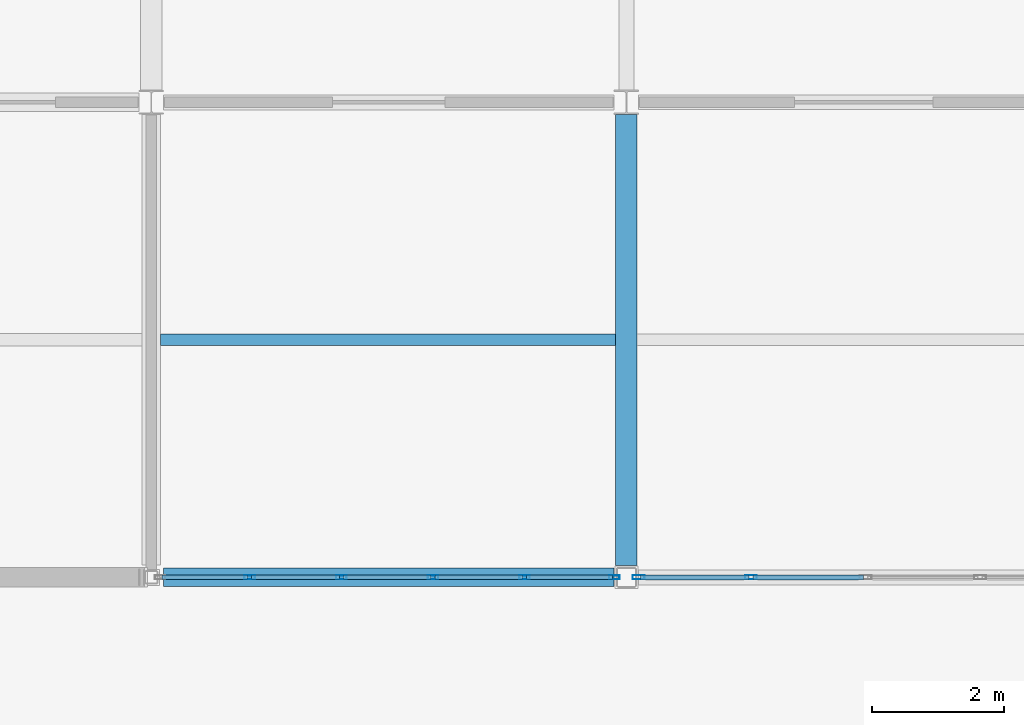
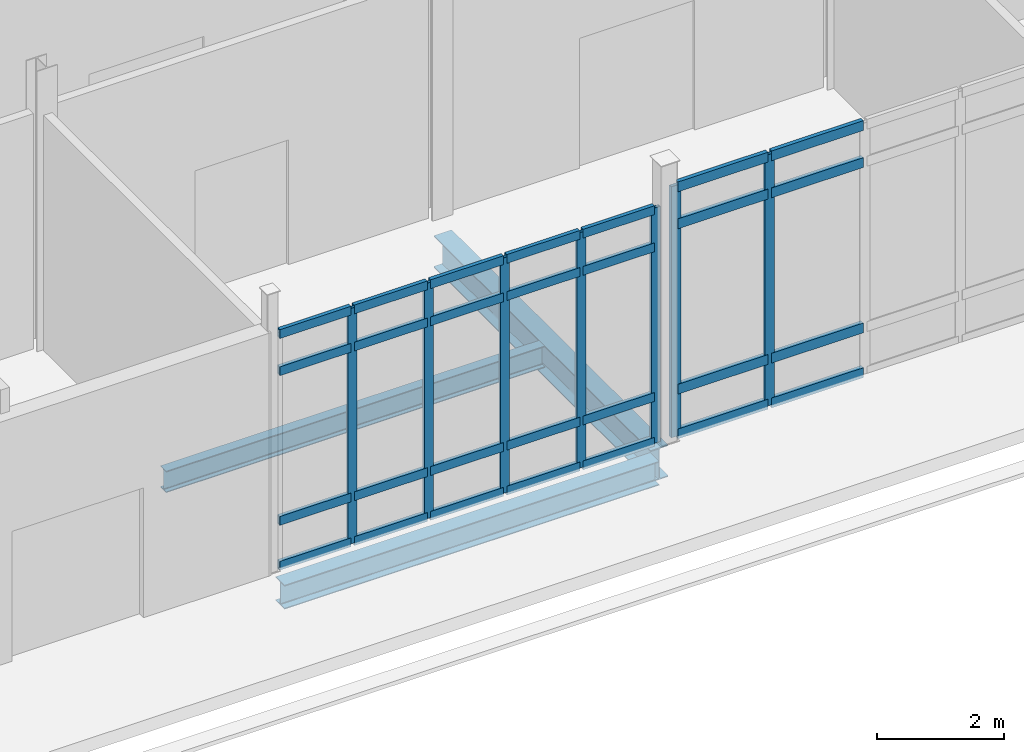
# One storey, part 117 of 229: 35 members, 3 beams, 2 elements without a shape of their own.
"""IFC4 building model written with IfcOpenShell, lengths in metres."""

from ifc_helpers import new_model, si_unit, direction, frame, origin, origin_2d, place, context, subcontext, project, spatial, hollow_rectangle, i_section, extrude, material, layer, layer_set, material_profile, profile_set, type_object, element, aggregate, save


model = new_model("IFC4")

# Units and contexts
model_context = context("Model", 3, precision=1e-05, world=origin(), true_north=direction((0.0, 1.0)))
body_context = subcontext(model_context, "Body", "Model", "MODEL_VIEW")
ifc_project = project(units=[si_unit("LENGTHUNIT", "METRE"), si_unit("AREAUNIT", "SQUARE_METRE"), si_unit("VOLUMEUNIT", "CUBIC_METRE"), si_unit("PLANEANGLEUNIT", "RADIAN"), si_unit("MASSUNIT", "GRAM", prefix="KILO")], contexts=[model_context])

# Site, building, storey
site_placement = place(None, origin())
site = spatial("IfcSite", under=ifc_project, at=site_placement, CompositionType="ELEMENT")
building_placement = place(site_placement, origin())
building = spatial("IfcBuilding", under=site, at=building_placement, Name="Calvrana Isthmian Art Gallery", CompositionType="ELEMENT")
storey_placement = place(building_placement, origin())
storey = spatial("IfcBuildingStorey", under=building, at=storey_placement, Name="L00", CompositionType="ELEMENT", Elevation=0.0)

# Beams
ifc_material_1 = material(Name="Steel ASTM A992 Gr 50", Category="steel")
ifc_material_profile_1 = material_profile(ifc_material_1, i_section(OverallWidth=0.279052734375, OverallDepth=0.4619140625, WebThickness=0.0107421875, FlangeThickness=0.017333984375, FilletRadius=0.02001953125, at=origin_2d()), Name="W18X76")
ifc_profile_set_1 = profile_set([ifc_material_profile_1], Name="Steel ASTM A992 Gr 50")
beam_type_1 = type_object("IfcBeamType", Name="BM-G-W18X76", PredefinedType="BEAM", material=ifc_profile_set_1)
beam_1_placement = place(storey_placement, frame((141.78662109375, 0.0, -0.51611328125), z_axis=(1.0, 0.0, 0.0), x_axis=(0.0, 1.0, 0.0)))
element("IfcBeam", 1, at=beam_1_placement, inside=storey, type_object=beam_type_1, Name="Girder X L00 19-20/A", PredefinedType="BEAM", context=body_context, shape_type="SweptSolid", body=[
    extrude(i_section(OverallWidth=0.279052734375, OverallDepth=0.4619140625, WebThickness=0.0107421875, FlangeThickness=0.017333984375, FilletRadius=0.02001953125, at=origin_2d()), origin(), (0.0, 0.0, 1.0), 6.827880859375),
])
ifc_material_profile_2 = material_profile(ifc_material_1, i_section(OverallWidth=0.324951171875, OverallDepth=0.612060546875, WebThickness=0.0126953125, FlangeThickness=0.01904296875, FilletRadius=0.02197265625, at=origin_2d()), Name="W24X104")
ifc_profile_set_2 = profile_set([ifc_material_profile_2], Name="Steel ASTM A992 Gr 50")
beam_type_2 = type_object("IfcBeamType", Name="BM-G-W24X104", PredefinedType="BEAM", material=ifc_profile_set_2)
beam_2_placement = place(storey_placement, frame((148.800048828125, 0.181396484375, -0.591064453125), z_axis=(0.0, 1.0, 0.0), x_axis=(-1.0, 0.0, 0.0)))
element("IfcBeam", 2, at=beam_2_placement, inside=storey, type_object=beam_type_2, Name="Girder Y L00 20/A-B", PredefinedType="BEAM", context=body_context, shape_type="SweptSolid", body=[
    extrude(i_section(OverallWidth=0.324951171875, OverallDepth=0.612060546875, WebThickness=0.0126953125, FlangeThickness=0.01904296875, FilletRadius=0.02197265625, at=origin_2d()), origin(), (0.0, 0.0, 1.0), 6.834716796875),
])
ifc_material_profile_3 = material_profile(ifc_material_1, i_section(OverallWidth=0.179931640625, OverallDepth=0.4140625, WebThickness=0.009765625, FlangeThickness=0.01611328125, FilletRadius=0.01806640625, at=origin_2d()), Name="W16X50")
ifc_profile_set_3 = profile_set([ifc_material_profile_3], Name="Steel ASTM A992 Gr 50")
beam_type_3 = type_object("IfcBeamType", Name="BM-J-W16X50", PredefinedType="JOIST", material=ifc_profile_set_3)
beam_3_placement = place(storey_placement, frame((141.739501953125, 3.60009765625, -0.491943359375), z_axis=(1.0, 0.0, 0.0), x_axis=(0.0, 1.0, 0.0)))
element("IfcBeam", 3, at=beam_3_placement, inside=storey, type_object=beam_type_3, Name="Composite joist L00 bay 18-00", PredefinedType="JOIST", context=body_context, shape_type="SweptSolid", body=[
    extrude(i_section(OverallWidth=0.179931640625, OverallDepth=0.4140625, WebThickness=0.009765625, FlangeThickness=0.01611328125, FilletRadius=0.01806640625, at=origin_2d()), origin(), (0.0, 0.0, 1.0), 6.89794921875),
])

# Curtain wall, members
ifc_material_2 = material(Name="Anodized bronze aluminium 6063-T6", Category="aluminium")
ifc_layer_1 = layer(ifc_material_2, 0.179931640625, Name="Anodized bronze aluminium 6063-T6")
ifc_layer_set_1 = layer_set([ifc_layer_1], Name="Anodized bronze aluminium 6063-T6")
curtain_wall_type_1 = type_object("IfcCurtainWallType", Name="CW-UNIT-069X45", PredefinedType="USERDEFINED", material=ifc_layer_set_1)
curtain_wall_1_placement = place(storey_placement, origin())
curtain_wall_1 = element("IfcCurtainWall", 4, at=curtain_wall_1_placement, inside=storey, type_object=curtain_wall_type_1, Name="Curtain wall CW-013", ObjectType="UNITISED CURTAIN WALL", PredefinedType="USERDEFINED")
ifc_material_profile_4 = material_profile(ifc_material_2, hollow_rectangle(XDim=0.06005859375, YDim=0.159912109375, WallThickness=0.00390625, at=origin_2d()), Name="CWM60X160")
ifc_profile_set_4 = profile_set([ifc_material_profile_4], Name="Anodized bronze aluminium 6063-T6")
member_type_1 = type_object("IfcMemberType", Name="CWM-CWM60X160", PredefinedType="MULLION", material=ifc_profile_set_4)
member_1_placement = place(storey_placement, frame((148.61767578125, 0.0, 0.0), z_axis=(0.0, 0.0, 1.0), x_axis=(0.0, -1.0, 0.0)))
member_1 = element("IfcMember", 5, at=member_1_placement, type_object=member_type_1, Name="CW-013 mullion 1", PredefinedType="MULLION", context=body_context, shape_type="SweptSolid", body=[
    extrude(hollow_rectangle(XDim=0.06005859375, YDim=0.159912109375, WallThickness=0.00390625, at=origin_2d()), origin(), (0.0, 0.0, 1.0), 4.532958984375),
])
member_2_placement = place(storey_placement, frame((147.25830078125, 0.0, 0.0), z_axis=(0.0, 0.0, 1.0), x_axis=(0.0, -1.0, 0.0)))
member_2 = element("IfcMember", 6, at=member_2_placement, type_object=member_type_1, Name="CW-013 mullion 2", PredefinedType="MULLION", context=body_context, shape_type="SweptSolid", body=[
    extrude(hollow_rectangle(XDim=0.06005859375, YDim=0.159912109375, WallThickness=0.00390625, at=origin_2d()), origin(), (0.0, 0.0, 1.0), 4.532958984375),
])
member_3_placement = place(storey_placement, frame((145.869140625, 0.0, 0.0), z_axis=(0.0, 0.0, 1.0), x_axis=(0.0, -1.0, 0.0)))
member_3 = element("IfcMember", 7, at=member_3_placement, type_object=member_type_1, Name="CW-013 mullion 3", PredefinedType="MULLION", context=body_context, shape_type="SweptSolid", body=[
    extrude(hollow_rectangle(XDim=0.06005859375, YDim=0.159912109375, WallThickness=0.00390625, at=origin_2d()), origin(), (0.0, 0.0, 1.0), 4.532958984375),
])
member_4_placement = place(storey_placement, frame((144.47998046875, 0.0, 0.0), z_axis=(0.0, 0.0, 1.0), x_axis=(0.0, -1.0, 0.0)))
member_4 = element("IfcMember", 8, at=member_4_placement, type_object=member_type_1, Name="CW-013 mullion 4", PredefinedType="MULLION", context=body_context, shape_type="SweptSolid", body=[
    extrude(hollow_rectangle(XDim=0.06005859375, YDim=0.159912109375, WallThickness=0.00390625, at=origin_2d()), origin(), (0.0, 0.0, 1.0), 4.532958984375),
])
member_5_placement = place(storey_placement, frame((143.0908203125, 0.0, 0.0), z_axis=(0.0, 0.0, 1.0), x_axis=(0.0, -1.0, 0.0)))
member_5 = element("IfcMember", 9, at=member_5_placement, type_object=member_type_1, Name="CW-013 mullion 5", PredefinedType="MULLION", context=body_context, shape_type="SweptSolid", body=[
    extrude(hollow_rectangle(XDim=0.06005859375, YDim=0.159912109375, WallThickness=0.00390625, at=origin_2d()), origin(), (0.0, 0.0, 1.0), 4.532958984375),
])

ifc_layer_2 = layer(ifc_material_2, 0.179931640625, Name="Anodized bronze aluminium 6063-T6")
ifc_layer_set_2 = layer_set([ifc_layer_2], Name="Anodized bronze aluminium 6063-T6")
curtain_wall_type_2 = type_object("IfcCurtainWallType", Name="CW-STICK-069X48", PredefinedType="NOTDEFINED", material=ifc_layer_set_2)
curtain_wall_2_placement = place(storey_placement, origin())
curtain_wall_2 = element("IfcCurtainWall", 10, at=curtain_wall_2_placement, inside=storey, type_object=curtain_wall_type_2, Name="Curtain wall CW-014", PredefinedType="NOTDEFINED")
ifc_material_profile_5 = material_profile(ifc_material_2, hollow_rectangle(XDim=0.06494140625, YDim=0.179931640625, WallThickness=0.00439453125, at=origin_2d()), Name="CWM65X180")
ifc_profile_set_5 = profile_set([ifc_material_profile_5], Name="Anodized bronze aluminium 6063-T6")
member_type_2 = type_object("IfcMemberType", Name="CWM-CWM65X180", PredefinedType="MULLION", material=ifc_profile_set_5)
member_6_placement = place(storey_placement, frame((150.68896484375, 0.0, 0.0), z_axis=(0.0, 0.0, 1.0), x_axis=(0.0, -1.0, 0.0)))
member_6 = element("IfcMember", 11, at=member_6_placement, type_object=member_type_2, Name="CW-014 mullion 4", PredefinedType="MULLION", context=body_context, shape_type="SweptSolid", body=[
    extrude(hollow_rectangle(XDim=0.06494140625, YDim=0.179931640625, WallThickness=0.00439453125, at=origin_2d()), origin(), (0.0, 0.0, 1.0), 4.835205078125),
])
member_7_placement = place(storey_placement, frame((148.98486328125, 0.0, 0.0), z_axis=(0.0, 0.0, 1.0), x_axis=(0.0, -1.0, 0.0)))
member_7 = element("IfcMember", 12, at=member_7_placement, type_object=member_type_2, Name="CW-014 mullion 5", PredefinedType="MULLION", context=body_context, shape_type="SweptSolid", body=[
    extrude(hollow_rectangle(XDim=0.06494140625, YDim=0.179931640625, WallThickness=0.00439453125, at=origin_2d()), origin(), (0.0, 0.0, 1.0), 4.835205078125),
])

# Member
ifc_material_profile_6 = material_profile(ifc_material_2, hollow_rectangle(XDim=0.070068359375, YDim=0.169921875, WallThickness=0.00439453125, at=origin_2d()), Name="CWT70X170")
ifc_profile_set_6 = profile_set([ifc_material_profile_6], Name="Anodized bronze aluminium 6063-T6")
member_type_3 = type_object("IfcMemberType", Name="CWT-CWT70X170", PredefinedType="USERDEFINED", material=ifc_profile_set_6)
member_8_placement = place(storey_placement, frame((148.587646484375, 0.0, 0.034912109375), z_axis=(-1.0, 0.0, 0.0), x_axis=(0.0, -1.0, 0.0)))
member_8 = element("IfcMember", 13, at=member_8_placement, type_object=member_type_3, Name="CW-013 transom 1.1", ObjectType="TRANSOM", PredefinedType="USERDEFINED", context=body_context, shape_type="SweptSolid", body=[
    extrude(hollow_rectangle(XDim=0.070068359375, YDim=0.169921875, WallThickness=0.00439453125, at=origin_2d()), origin(), (0.0, 0.0, 1.0), 1.29931640625),
])

member_9_placement = place(storey_placement, frame((148.587646484375, 0.0, 0.89990234375), z_axis=(-1.0, 0.0, 0.0), x_axis=(0.0, -1.0, 0.0)))
member_9 = element("IfcMember", 14, at=member_9_placement, type_object=member_type_3, Name="CW-013 transom 1.2", ObjectType="TRANSOM", PredefinedType="USERDEFINED", context=body_context, shape_type="SweptSolid", body=[
    extrude(hollow_rectangle(XDim=0.070068359375, YDim=0.169921875, WallThickness=0.00439453125, at=origin_2d()), origin(), (0.0, 0.0, 1.0), 1.29931640625),
])

member_10_placement = place(storey_placement, frame((148.587646484375, 0.0, 3.782958984375), z_axis=(-1.0, 0.0, 0.0), x_axis=(0.0, -1.0, 0.0)))
member_10 = element("IfcMember", 15, at=member_10_placement, type_object=member_type_3, Name="CW-013 transom 1.3", ObjectType="TRANSOM", PredefinedType="USERDEFINED", context=body_context, shape_type="SweptSolid", body=[
    extrude(hollow_rectangle(XDim=0.070068359375, YDim=0.169921875, WallThickness=0.00439453125, at=origin_2d()), origin(), (0.0, 0.0, 1.0), 1.29931640625),
])

member_11_placement = place(storey_placement, frame((148.587646484375, 0.0, 4.498046875), z_axis=(-1.0, 0.0, 0.0), x_axis=(0.0, -1.0, 0.0)))
member_11 = element("IfcMember", 16, at=member_11_placement, type_object=member_type_3, Name="CW-013 transom 1.4", ObjectType="TRANSOM", PredefinedType="USERDEFINED", context=body_context, shape_type="SweptSolid", body=[
    extrude(hollow_rectangle(XDim=0.070068359375, YDim=0.169921875, WallThickness=0.00439453125, at=origin_2d()), origin(), (0.0, 0.0, 1.0), 1.29931640625),
])

member_12_placement = place(storey_placement, frame((147.228515625, 0.0, 0.034912109375), z_axis=(-1.0, 0.0, 0.0), x_axis=(0.0, -1.0, 0.0)))
member_12 = element("IfcMember", 17, at=member_12_placement, type_object=member_type_3, Name="CW-013 transom 2.1", ObjectType="TRANSOM", PredefinedType="USERDEFINED", context=body_context, shape_type="SweptSolid", body=[
    extrude(hollow_rectangle(XDim=0.070068359375, YDim=0.169921875, WallThickness=0.00439453125, at=origin_2d()), origin(), (0.0, 0.0, 1.0), 1.329345703125),
])

member_13_placement = place(storey_placement, frame((147.228515625, 0.0, 0.89990234375), z_axis=(-1.0, 0.0, 0.0), x_axis=(0.0, -1.0, 0.0)))
member_13 = element("IfcMember", 18, at=member_13_placement, type_object=member_type_3, Name="CW-013 transom 2.2", ObjectType="TRANSOM", PredefinedType="USERDEFINED", context=body_context, shape_type="SweptSolid", body=[
    extrude(hollow_rectangle(XDim=0.070068359375, YDim=0.169921875, WallThickness=0.00439453125, at=origin_2d()), origin(), (0.0, 0.0, 1.0), 1.329345703125),
])

member_14_placement = place(storey_placement, frame((147.228515625, 0.0, 3.782958984375), z_axis=(-1.0, 0.0, 0.0), x_axis=(0.0, -1.0, 0.0)))
member_14 = element("IfcMember", 19, at=member_14_placement, type_object=member_type_3, Name="CW-013 transom 2.3", ObjectType="TRANSOM", PredefinedType="USERDEFINED", context=body_context, shape_type="SweptSolid", body=[
    extrude(hollow_rectangle(XDim=0.070068359375, YDim=0.169921875, WallThickness=0.00439453125, at=origin_2d()), origin(), (0.0, 0.0, 1.0), 1.329345703125),
])

member_15_placement = place(storey_placement, frame((147.228515625, 0.0, 4.498046875), z_axis=(-1.0, 0.0, 0.0), x_axis=(0.0, -1.0, 0.0)))
member_15 = element("IfcMember", 20, at=member_15_placement, type_object=member_type_3, Name="CW-013 transom 2.4", ObjectType="TRANSOM", PredefinedType="USERDEFINED", context=body_context, shape_type="SweptSolid", body=[
    extrude(hollow_rectangle(XDim=0.070068359375, YDim=0.169921875, WallThickness=0.00439453125, at=origin_2d()), origin(), (0.0, 0.0, 1.0), 1.329345703125),
])

member_16_placement = place(storey_placement, frame((145.839111328125, 0.0, 0.034912109375), z_axis=(-1.0, 0.0, 0.0), x_axis=(0.0, -1.0, 0.0)))
member_16 = element("IfcMember", 21, at=member_16_placement, type_object=member_type_3, Name="CW-013 transom 3.1", ObjectType="TRANSOM", PredefinedType="USERDEFINED", context=body_context, shape_type="SweptSolid", body=[
    extrude(hollow_rectangle(XDim=0.070068359375, YDim=0.169921875, WallThickness=0.00439453125, at=origin_2d()), origin(), (0.0, 0.0, 1.0), 1.3291015625),
])

member_17_placement = place(storey_placement, frame((145.839111328125, 0.0, 0.89990234375), z_axis=(-1.0, 0.0, 0.0), x_axis=(0.0, -1.0, 0.0)))
member_17 = element("IfcMember", 22, at=member_17_placement, type_object=member_type_3, Name="CW-013 transom 3.2", ObjectType="TRANSOM", PredefinedType="USERDEFINED", context=body_context, shape_type="SweptSolid", body=[
    extrude(hollow_rectangle(XDim=0.070068359375, YDim=0.169921875, WallThickness=0.00439453125, at=origin_2d()), origin(), (0.0, 0.0, 1.0), 1.3291015625),
])

member_18_placement = place(storey_placement, frame((145.839111328125, 0.0, 3.782958984375), z_axis=(-1.0, 0.0, 0.0), x_axis=(0.0, -1.0, 0.0)))
member_18 = element("IfcMember", 23, at=member_18_placement, type_object=member_type_3, Name="CW-013 transom 3.3", ObjectType="TRANSOM", PredefinedType="USERDEFINED", context=body_context, shape_type="SweptSolid", body=[
    extrude(hollow_rectangle(XDim=0.070068359375, YDim=0.169921875, WallThickness=0.00439453125, at=origin_2d()), origin(), (0.0, 0.0, 1.0), 1.3291015625),
])

member_19_placement = place(storey_placement, frame((145.839111328125, 0.0, 4.498046875), z_axis=(-1.0, 0.0, 0.0), x_axis=(0.0, -1.0, 0.0)))
member_19 = element("IfcMember", 24, at=member_19_placement, type_object=member_type_3, Name="CW-013 transom 3.4", ObjectType="TRANSOM", PredefinedType="USERDEFINED", context=body_context, shape_type="SweptSolid", body=[
    extrude(hollow_rectangle(XDim=0.070068359375, YDim=0.169921875, WallThickness=0.00439453125, at=origin_2d()), origin(), (0.0, 0.0, 1.0), 1.3291015625),
])

member_20_placement = place(storey_placement, frame((144.449951171875, 0.0, 0.034912109375), z_axis=(-1.0, 0.0, 0.0), x_axis=(0.0, -1.0, 0.0)))
member_20 = element("IfcMember", 25, at=member_20_placement, type_object=member_type_3, Name="CW-013 transom 4.1", ObjectType="TRANSOM", PredefinedType="USERDEFINED", context=body_context, shape_type="SweptSolid", body=[
    extrude(hollow_rectangle(XDim=0.070068359375, YDim=0.169921875, WallThickness=0.00439453125, at=origin_2d()), origin(), (0.0, 0.0, 1.0), 1.3291015625),
])

member_21_placement = place(storey_placement, frame((144.449951171875, 0.0, 0.89990234375), z_axis=(-1.0, 0.0, 0.0), x_axis=(0.0, -1.0, 0.0)))
member_21 = element("IfcMember", 26, at=member_21_placement, type_object=member_type_3, Name="CW-013 transom 4.2", ObjectType="TRANSOM", PredefinedType="USERDEFINED", context=body_context, shape_type="SweptSolid", body=[
    extrude(hollow_rectangle(XDim=0.070068359375, YDim=0.169921875, WallThickness=0.00439453125, at=origin_2d()), origin(), (0.0, 0.0, 1.0), 1.3291015625),
])

member_22_placement = place(storey_placement, frame((144.449951171875, 0.0, 3.782958984375), z_axis=(-1.0, 0.0, 0.0), x_axis=(0.0, -1.0, 0.0)))
member_22 = element("IfcMember", 27, at=member_22_placement, type_object=member_type_3, Name="CW-013 transom 4.3", ObjectType="TRANSOM", PredefinedType="USERDEFINED", context=body_context, shape_type="SweptSolid", body=[
    extrude(hollow_rectangle(XDim=0.070068359375, YDim=0.169921875, WallThickness=0.00439453125, at=origin_2d()), origin(), (0.0, 0.0, 1.0), 1.3291015625),
])

member_23_placement = place(storey_placement, frame((144.449951171875, 0.0, 4.498046875), z_axis=(-1.0, 0.0, 0.0), x_axis=(0.0, -1.0, 0.0)))
member_23 = element("IfcMember", 28, at=member_23_placement, type_object=member_type_3, Name="CW-013 transom 4.4", ObjectType="TRANSOM", PredefinedType="USERDEFINED", context=body_context, shape_type="SweptSolid", body=[
    extrude(hollow_rectangle(XDim=0.070068359375, YDim=0.169921875, WallThickness=0.00439453125, at=origin_2d()), origin(), (0.0, 0.0, 1.0), 1.3291015625),
])

member_24_placement = place(storey_placement, frame((143.060791015625, 0.0, 0.034912109375), z_axis=(-1.0, 0.0, 0.0), x_axis=(0.0, -1.0, 0.0)))
member_24 = element("IfcMember", 29, at=member_24_placement, type_object=member_type_3, Name="CW-013 transom 5.1", ObjectType="TRANSOM", PredefinedType="USERDEFINED", context=body_context, shape_type="SweptSolid", body=[
    extrude(hollow_rectangle(XDim=0.070068359375, YDim=0.169921875, WallThickness=0.00439453125, at=origin_2d()), origin(), (0.0, 0.0, 1.0), 1.299072265625),
])

member_25_placement = place(storey_placement, frame((143.060791015625, 0.0, 0.89990234375), z_axis=(-1.0, 0.0, 0.0), x_axis=(0.0, -1.0, 0.0)))
member_25 = element("IfcMember", 30, at=member_25_placement, type_object=member_type_3, Name="CW-013 transom 5.2", ObjectType="TRANSOM", PredefinedType="USERDEFINED", context=body_context, shape_type="SweptSolid", body=[
    extrude(hollow_rectangle(XDim=0.070068359375, YDim=0.169921875, WallThickness=0.00439453125, at=origin_2d()), origin(), (0.0, 0.0, 1.0), 1.299072265625),
])

member_26_placement = place(storey_placement, frame((143.060791015625, 0.0, 3.782958984375), z_axis=(-1.0, 0.0, 0.0), x_axis=(0.0, -1.0, 0.0)))
member_26 = element("IfcMember", 31, at=member_26_placement, type_object=member_type_3, Name="CW-013 transom 5.3", ObjectType="TRANSOM", PredefinedType="USERDEFINED", context=body_context, shape_type="SweptSolid", body=[
    extrude(hollow_rectangle(XDim=0.070068359375, YDim=0.169921875, WallThickness=0.00439453125, at=origin_2d()), origin(), (0.0, 0.0, 1.0), 1.299072265625),
])

member_27_placement = place(storey_placement, frame((143.060791015625, 0.0, 4.498046875), z_axis=(-1.0, 0.0, 0.0), x_axis=(0.0, -1.0, 0.0)))
member_27 = element("IfcMember", 32, at=member_27_placement, type_object=member_type_3, Name="CW-013 transom 5.4", ObjectType="TRANSOM", PredefinedType="USERDEFINED", context=body_context, shape_type="SweptSolid", body=[
    extrude(hollow_rectangle(XDim=0.070068359375, YDim=0.169921875, WallThickness=0.00439453125, at=origin_2d()), origin(), (0.0, 0.0, 1.0), 1.299072265625),
])

aggregate(curtain_wall_1, [member_1, member_2, member_3, member_4, member_5, member_8, member_9, member_10, member_11, member_12, member_13, member_14, member_15, member_16, member_17, member_18, member_19, member_20, member_21, member_22, member_23, member_24, member_25, member_26, member_27])

ifc_material_profile_7 = material_profile(ifc_material_2, hollow_rectangle(XDim=0.074951171875, YDim=0.18994140625, WallThickness=0.00439453125, at=origin_2d()), Name="CWT75X190")
ifc_profile_set_7 = profile_set([ifc_material_profile_7], Name="Anodized bronze aluminium 6063-T6")
member_type_4 = type_object("IfcMemberType", Name="CWT-CWT75X190", PredefinedType="USERDEFINED", material=ifc_profile_set_7)
member_28_placement = place(storey_placement, frame((152.392822265625, 0.0, 0.03759765625), z_axis=(-1.0, 0.0, 0.0), x_axis=(0.0, -1.0, 0.0)))
member_28 = element("IfcMember", 33, at=member_28_placement, type_object=member_type_4, Name="CW-014 transom 3.1", ObjectType="TRANSOM", PredefinedType="USERDEFINED", context=body_context, shape_type="SweptSolid", body=[
    extrude(hollow_rectangle(XDim=0.074951171875, YDim=0.18994140625, WallThickness=0.00439453125, at=origin_2d()), origin(), (0.0, 0.0, 1.0), 1.67138671875),
])

member_29_placement = place(storey_placement, frame((152.392822265625, 0.0, 0.89990234375), z_axis=(-1.0, 0.0, 0.0), x_axis=(0.0, -1.0, 0.0)))
member_29 = element("IfcMember", 34, at=member_29_placement, type_object=member_type_4, Name="CW-014 transom 3.2", ObjectType="TRANSOM", PredefinedType="USERDEFINED", context=body_context, shape_type="SweptSolid", body=[
    extrude(hollow_rectangle(XDim=0.074951171875, YDim=0.18994140625, WallThickness=0.00439453125, at=origin_2d()), origin(), (0.0, 0.0, 1.0), 1.67138671875),
])

member_30_placement = place(storey_placement, frame((152.392822265625, 0.0, 4.085205078125), z_axis=(-1.0, 0.0, 0.0), x_axis=(0.0, -1.0, 0.0)))
member_30 = element("IfcMember", 35, at=member_30_placement, type_object=member_type_4, Name="CW-014 transom 3.3", ObjectType="TRANSOM", PredefinedType="USERDEFINED", context=body_context, shape_type="SweptSolid", body=[
    extrude(hollow_rectangle(XDim=0.074951171875, YDim=0.18994140625, WallThickness=0.00439453125, at=origin_2d()), origin(), (0.0, 0.0, 1.0), 1.67138671875),
])

member_31_placement = place(storey_placement, frame((152.392822265625, 0.0, 4.797607421875), z_axis=(-1.0, 0.0, 0.0), x_axis=(0.0, -1.0, 0.0)))
member_31 = element("IfcMember", 36, at=member_31_placement, type_object=member_type_4, Name="CW-014 transom 3.4", ObjectType="TRANSOM", PredefinedType="USERDEFINED", context=body_context, shape_type="SweptSolid", body=[
    extrude(hollow_rectangle(XDim=0.074951171875, YDim=0.18994140625, WallThickness=0.00439453125, at=origin_2d()), origin(), (0.0, 0.0, 1.0), 1.67138671875),
])

member_32_placement = place(storey_placement, frame((150.656494140625, 0.0, 0.03759765625), z_axis=(-1.0, 0.0, 0.0), x_axis=(0.0, -1.0, 0.0)))
member_32 = element("IfcMember", 37, at=member_32_placement, type_object=member_type_4, Name="CW-014 transom 4.1", ObjectType="TRANSOM", PredefinedType="USERDEFINED", context=body_context, shape_type="SweptSolid", body=[
    extrude(hollow_rectangle(XDim=0.074951171875, YDim=0.18994140625, WallThickness=0.00439453125, at=origin_2d()), origin(), (0.0, 0.0, 1.0), 1.63916015625),
])

member_33_placement = place(storey_placement, frame((150.656494140625, 0.0, 0.89990234375), z_axis=(-1.0, 0.0, 0.0), x_axis=(0.0, -1.0, 0.0)))
member_33 = element("IfcMember", 38, at=member_33_placement, type_object=member_type_4, Name="CW-014 transom 4.2", ObjectType="TRANSOM", PredefinedType="USERDEFINED", context=body_context, shape_type="SweptSolid", body=[
    extrude(hollow_rectangle(XDim=0.074951171875, YDim=0.18994140625, WallThickness=0.00439453125, at=origin_2d()), origin(), (0.0, 0.0, 1.0), 1.63916015625),
])

member_34_placement = place(storey_placement, frame((150.656494140625, 0.0, 4.085205078125), z_axis=(-1.0, 0.0, 0.0), x_axis=(0.0, -1.0, 0.0)))
member_34 = element("IfcMember", 39, at=member_34_placement, type_object=member_type_4, Name="CW-014 transom 4.3", ObjectType="TRANSOM", PredefinedType="USERDEFINED", context=body_context, shape_type="SweptSolid", body=[
    extrude(hollow_rectangle(XDim=0.074951171875, YDim=0.18994140625, WallThickness=0.00439453125, at=origin_2d()), origin(), (0.0, 0.0, 1.0), 1.63916015625),
])

member_35_placement = place(storey_placement, frame((150.656494140625, 0.0, 4.797607421875), z_axis=(-1.0, 0.0, 0.0), x_axis=(0.0, -1.0, 0.0)))
member_35 = element("IfcMember", 40, at=member_35_placement, type_object=member_type_4, Name="CW-014 transom 4.4", ObjectType="TRANSOM", PredefinedType="USERDEFINED", context=body_context, shape_type="SweptSolid", body=[
    extrude(hollow_rectangle(XDim=0.074951171875, YDim=0.18994140625, WallThickness=0.00439453125, at=origin_2d()), origin(), (0.0, 0.0, 1.0), 1.63916015625),
])

aggregate(curtain_wall_2, [member_6, member_7, member_28, member_29, member_30, member_31, member_32, member_33, member_34, member_35])

save(model, "model.ifc")
